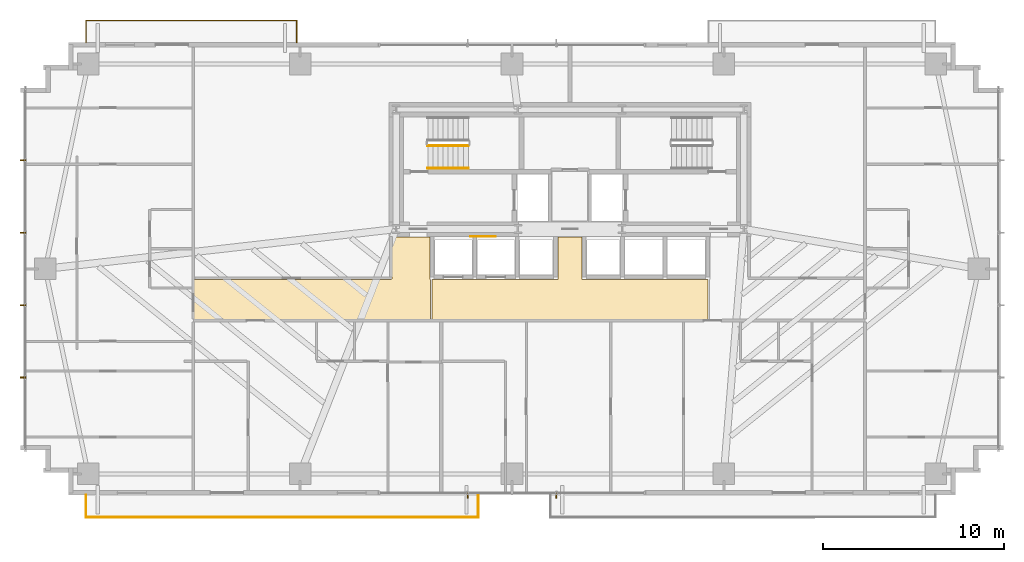
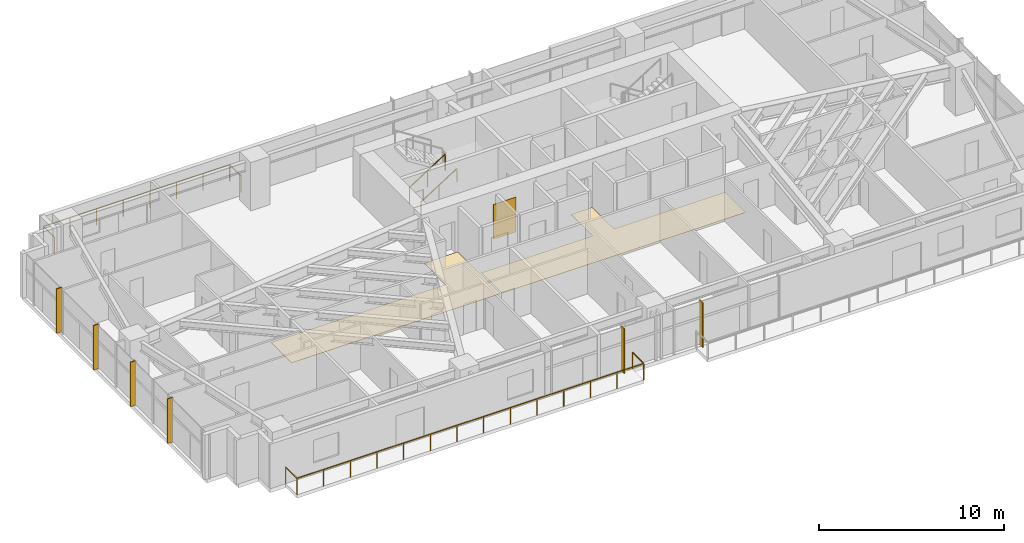
# One storey, part 23 of 25: 6 shading devices, 4 railings, 3 coverings.
"""IFC4 building model written with IfcOpenShell, lengths in metres."""

from ifc_helpers import new_model, si_unit, direction, frame, origin, origin_2d, place, context, subcontext, project, spatial, polyline, rectangle, outline, extrude, source, transform, mapped, material, layer, layer_set, type_object, type_shapes, element, save


model = new_model("IFC4")

# Units and contexts
model_context = context("Model", 3, precision=1e-05, world=origin(), true_north=direction((0.0, 1.0)))
body_context = subcontext(model_context, "Body", "Model", "MODEL_VIEW")
ifc_project = project(units=[si_unit("LENGTHUNIT", "METRE"), si_unit("AREAUNIT", "SQUARE_METRE"), si_unit("VOLUMEUNIT", "CUBIC_METRE"), si_unit("PLANEANGLEUNIT", "RADIAN"), si_unit("MASSUNIT", "GRAM", prefix="KILO")], contexts=[model_context])

# Site, building, storey
site_placement = place(None, origin())
site = spatial("IfcSite", under=ifc_project, at=site_placement, CompositionType="ELEMENT")
building_placement = place(site_placement, origin())
building = spatial("IfcBuilding", under=site, at=building_placement, Name="Astriad Promenade Condominiums", CompositionType="ELEMENT")
storey_placement = place(building_placement, frame((0.0, 0.0, 26.199951171875)))
storey = spatial("IfcBuildingStorey", under=building, at=storey_placement, Name="L06", CompositionType="ELEMENT", Elevation=26.199951171875)

# Coverings
ifc_material_1 = material(Name="Polished Lakefront Terrazzo Flooring")
ifc_layer_1 = layer(ifc_material_1, 0.02001953125)
ifc_layer_set_1 = layer_set([ifc_layer_1], Name="Polished Lakefront Terrazzo Flooring")
covering_type_1 = type_object("IfcCoveringType", Name="COV-FLOR-TERRAZZO-20", PredefinedType="FLOORING", material=ifc_layer_set_1)
covering_1_placement = place(storey_placement, origin())
element("IfcCovering", 1, at=covering_1_placement, inside=storey, type_object=covering_type_1, Name="FLR-L06-LLB", PredefinedType="FLOORING", context=body_context, shape_type="SweptSolid", body=[
    extrude(outline(polyline([(43.610107421875, 14.610107421875), (43.610107421875, 12.389892578125), (28.389892578125, 12.389892578125), (28.389892578125, 14.610107421875), (35.300048828125, 14.610107421875), (35.303955078125, 14.610107421875), (35.307861328125, 14.61083984375), (35.3115234375, 14.61181640625), (35.315185546875, 14.613037109375), (35.31884765625, 14.61474609375), (35.322265625, 14.61669921875), (35.325439453125, 14.619140625), (35.328369140625, 14.62158203125), (35.330810546875, 14.62451171875), (35.333251953125, 14.627685546875), (35.335205078125, 14.631103515625), (35.3369140625, 14.634765625), (35.33837890625, 14.638427734375), (35.339111328125, 14.64208984375), (35.33984375, 14.64599609375), (35.340087890625, 14.64990234375), (35.340087890625, 16.9599609375), (36.659912109375, 16.9599609375), (36.659912109375, 14.64990234375), (36.66015625, 14.64599609375), (36.660888671875, 14.64208984375), (36.66162109375, 14.638427734375), (36.6630859375, 14.634765625), (36.664794921875, 14.631103515625), (36.666748046875, 14.627685546875), (36.669189453125, 14.62451171875), (36.671630859375, 14.62158203125), (36.674560546875, 14.619140625), (36.677734375, 14.61669921875), (36.68115234375, 14.61474609375), (36.684814453125, 14.613037109375), (36.6884765625, 14.61181640625), (36.692138671875, 14.61083984375), (36.696044921875, 14.610107421875), (36.699951171875, 14.610107421875), (43.610107421875, 14.610107421875)])), origin(), (0.0, 0.0, 1.0), 0.02001953125),
])
covering_2_placement = place(storey_placement, origin())
element("IfcCovering", 2, at=covering_2_placement, inside=storey, type_object=covering_type_1, Name="FLR-L06-COR-2", PredefinedType="FLOORING", context=body_context, shape_type="SweptSolid", body=[
    extrude(outline(polyline([(28.300048828125, 12.389892578125), (15.239990234375, 12.389892578125), (15.239990234375, 14.6201171875), (26.1201171875, 14.6201171875), (26.123779296875, 14.6201171875), (26.127685546875, 14.620849609375), (26.131591796875, 14.62158203125), (26.13525390625, 14.623046875), (26.138916015625, 14.624755859375), (26.14208984375, 14.626708984375), (26.1455078125, 14.629150390625), (26.148193359375, 14.631591796875), (26.15087890625, 14.634521484375), (26.1533203125, 14.6376953125), (26.1552734375, 14.64111328125), (26.156982421875, 14.644775390625), (26.158203125, 14.6484375), (26.1591796875, 14.652099609375), (26.159912109375, 14.656005859375), (26.159912109375, 14.659912109375), (26.159912109375, 16.9599609375), (28.260009765625, 16.9599609375), (28.260009765625, 14.64990234375), (28.26025390625, 14.64599609375), (28.2607421875, 14.64208984375), (28.26171875, 14.638427734375), (28.262939453125, 14.634765625), (28.2646484375, 14.631103515625), (28.2666015625, 14.627685546875), (28.26904296875, 14.62451171875), (28.271728515625, 14.62158203125), (28.274658203125, 14.619140625), (28.27783203125, 14.61669921875), (28.281005859375, 14.61474609375), (28.28466796875, 14.613037109375), (28.288330078125, 14.61181640625), (28.292236328125, 14.61083984375), (28.296142578125, 14.610107421875), (28.300048828125, 14.610107421875), (28.300048828125, 12.389892578125)])), origin(), (0.0, 0.0, 1.0), 0.02001953125),
])

# Shading devices
ifc_material_2 = material(Name="Anodised aluminium 6063-T6 Black Fin", Category="aluminium")
shading_device_type = type_object("IfcShadingDeviceType", Name="FIN-BLACK-320", PredefinedType="USERDEFINED", material=ifc_material_2)
shared_shape_1 = source(origin(), body_context, "Body", "SweptSolid", [
    extrude(rectangle(XDim=0.06494140625, YDim=0.320068359375, at=origin_2d()), origin(), (0.0, 0.0, 1.0), 2.93994140625),
])
type_shapes(shading_device_type, [shared_shape_1])
for number, where, z_axis, x_axis, name in (
    (3, (5.7900390625, 9.199951171875, 0.0), (0.0, 0.0, 1.0), (0.0, 1.0, 0.0), "CW-L06-W-FIN-01"),
    (4, (5.7900390625, 13.199951171875, 0.0), (0.0, 0.0, 1.0), (0.0, 1.0, 0.0), "CW-L06-W-FIN-02"),
    (5, (5.7900390625, 17.199951171875, 0.0), (0.0, 0.0, 1.0), (0.0, 1.0, 0.0), "CW-L06-W-FIN-03"),
    (6, (5.7900390625, 21.199951171875, 0.0), (0.0, 0.0, 1.0), (0.0, 1.0, 0.0), "CW-L06-W-FIN-04"),
    (7, (35.25, 2.68994140625, 0.0), (0.0, 0.0, 1.0), (-1.0, 0.0, 0.0), "CW-L06-S-FIN-01"),
    (8, (30.35009765625, 2.68994140625, 0.0), (0.0, 0.0, 1.0), (-1.0, 0.0, 0.0), "CW-L06-S-FIN-02"),
):
    element("IfcShadingDevice", number, at=place(storey_placement, frame(where, z_axis=z_axis, x_axis=x_axis)), inside=storey, type_object=shading_device_type, Name=name, ObjectType="FIN", PredefinedType="USERDEFINED", context=body_context, shape_type="MappedRepresentation", body=[
        mapped(shared_shape_1, transform((0.0, 0.0, 0.0), scale=1.0)),
    ])

# Railings
ifc_material_3 = material(Name="Laminated Glass and Stainless Steel Balustrade", Category="steel")
railing_type_1 = type_object("IfcRailingType", Name="GRD-BALC-1120", PredefinedType="BALUSTRADE", material=ifc_material_3)
shared_shape_2 = source(origin(), body_context, "Body", "SweptSolid", [
    extrude(rectangle(XDim=0.048095703125, YDim=0.048095703125, at=origin_2d()), frame((0.0, 0.0, 1.09619140625), z_axis=(0.0, -1.0, 0.0), x_axis=(1.0, 0.0, 0.0)), (0.0, 0.0, 1.0), 1.219970703125),
    extrude(rectangle(XDim=0.048095703125, YDim=0.048095703125, at=origin_2d()), frame((0.0, -1.219970703125, 1.09619140625), z_axis=(1.0, 0.0, 0.0), x_axis=(0.0, 1.0, 0.0)), (0.0, 0.0, 1.0), 21.6669921875),
    extrude(rectangle(XDim=0.048095703125, YDim=0.048095703125, at=origin_2d()), frame((21.6669921875, -1.219970703125, 1.09619140625), z_axis=(0.0, 1.0, 0.0), x_axis=(-1.0, 0.0, 0.0)), (0.0, 0.0, 1.0), 1.219970703125),
    extrude(rectangle(XDim=0.0419921875, YDim=0.0419921875, at=origin_2d()), origin(), (0.0, 0.0, 1.0), 1.072021484375),
    extrude(rectangle(XDim=0.0419921875, YDim=0.0419921875, at=origin_2d()), frame((0.0, -1.219970703125, 0.0)), (0.0, 0.0, 1.0), 1.072021484375),
    extrude(rectangle(XDim=0.0419921875, YDim=0.0419921875, at=origin_2d()), frame((1.666748046875, -1.219970703125, 0.0)), (0.0, 0.0, 1.0), 1.072021484375),
    extrude(rectangle(XDim=0.0419921875, YDim=0.0419921875, at=origin_2d()), frame((3.33349609375, -1.219970703125, 0.0)), (0.0, 0.0, 1.0), 1.072021484375),
    extrude(rectangle(XDim=0.0419921875, YDim=0.0419921875, at=origin_2d()), frame((5.0, -1.219970703125, 0.0)), (0.0, 0.0, 1.0), 1.072021484375),
    extrude(rectangle(XDim=0.0419921875, YDim=0.0419921875, at=origin_2d()), frame((6.666748046875, -1.219970703125, 0.0)), (0.0, 0.0, 1.0), 1.072021484375),
    extrude(rectangle(XDim=0.0419921875, YDim=0.0419921875, at=origin_2d()), frame((8.33349609375, -1.219970703125, 0.0)), (0.0, 0.0, 1.0), 1.072021484375),
    extrude(rectangle(XDim=0.0419921875, YDim=0.0419921875, at=origin_2d()), frame((10.000244140625, -1.219970703125, 0.0)), (0.0, 0.0, 1.0), 1.072021484375),
    extrude(rectangle(XDim=0.0419921875, YDim=0.0419921875, at=origin_2d()), frame((11.666748046875, -1.219970703125, 0.0)), (0.0, 0.0, 1.0), 1.072021484375),
    extrude(rectangle(XDim=0.0419921875, YDim=0.0419921875, at=origin_2d()), frame((13.33349609375, -1.219970703125, 0.0)), (0.0, 0.0, 1.0), 1.072021484375),
    extrude(rectangle(XDim=0.0419921875, YDim=0.0419921875, at=origin_2d()), frame((15.000244140625, -1.219970703125, 0.0)), (0.0, 0.0, 1.0), 1.072021484375),
    extrude(rectangle(XDim=0.0419921875, YDim=0.0419921875, at=origin_2d()), frame((16.6669921875, -1.219970703125, 0.0)), (0.0, 0.0, 1.0), 1.072021484375),
    extrude(rectangle(XDim=0.0419921875, YDim=0.0419921875, at=origin_2d()), frame((18.33349609375, -1.219970703125, 0.0)), (0.0, 0.0, 1.0), 1.072021484375),
    extrude(rectangle(XDim=0.0419921875, YDim=0.0419921875, at=origin_2d()), frame((20.000244140625, -1.219970703125, 0.0)), (0.0, 0.0, 1.0), 1.072021484375),
    extrude(rectangle(XDim=0.0419921875, YDim=0.0419921875, at=origin_2d()), frame((21.6669921875, -1.219970703125, 0.0)), (0.0, 0.0, 1.0), 1.072021484375),
    extrude(rectangle(XDim=0.0419921875, YDim=0.0419921875, at=origin_2d()), frame((21.6669921875, 0.0, 0.0)), (0.0, 0.0, 1.0), 1.072021484375),
])
railing_1_placement = place(storey_placement, frame((9.277099609375, 2.699951171875, 0.0)))
element("IfcRailing", 9, at=railing_1_placement, inside=storey, type_object=railing_type_1, Name="GRD-BALC-L06-SW", PredefinedType="BALUSTRADE", context=body_context, shape_type="MappedRepresentation", body=[
    mapped(shared_shape_2, transform((0.0, 0.0, 0.0), scale=1.0)),
])
shared_shape_3 = source(origin(), body_context, "Body", "SweptSolid", [
    extrude(rectangle(XDim=0.048095703125, YDim=0.048095703125, at=origin_2d()), frame((0.0, 0.0, 1.09619140625), z_axis=(0.0, 1.0, 0.0), x_axis=(-1.0, 0.0, 0.0)), (0.0, 0.0, 1.0), 1.219970703125),
    extrude(rectangle(XDim=0.048095703125, YDim=0.048095703125, at=origin_2d()), frame((0.0, 1.219970703125, 1.09619140625), z_axis=(-1.0, 0.0, 0.0), x_axis=(0.0, -1.0, 0.0)), (0.0, 0.0, 1.0), 11.642822265625),
    extrude(rectangle(XDim=0.048095703125, YDim=0.048095703125, at=origin_2d()), frame((-11.642822265625, 1.219970703125, 1.09619140625), z_axis=(0.0, -1.0, 0.0), x_axis=(1.0, 0.0, 0.0)), (0.0, 0.0, 1.0), 1.219970703125),
    extrude(rectangle(XDim=0.0419921875, YDim=0.0419921875, at=origin_2d()), origin(), (0.0, 0.0, 1.0), 1.072021484375),
    extrude(rectangle(XDim=0.0419921875, YDim=0.0419921875, at=origin_2d()), frame((0.0, 1.219970703125, 0.0)), (0.0, 0.0, 1.0), 1.072021484375),
    extrude(rectangle(XDim=0.0419921875, YDim=0.0419921875, at=origin_2d()), frame((-1.663330078125, 1.219970703125, 0.0)), (0.0, 0.0, 1.0), 1.072021484375),
    extrude(rectangle(XDim=0.0419921875, YDim=0.0419921875, at=origin_2d()), frame((-3.326416015625, 1.219970703125, 0.0)), (0.0, 0.0, 1.0), 1.072021484375),
    extrude(rectangle(XDim=0.0419921875, YDim=0.0419921875, at=origin_2d()), frame((-4.98974609375, 1.219970703125, 0.0)), (0.0, 0.0, 1.0), 1.072021484375),
    extrude(rectangle(XDim=0.0419921875, YDim=0.0419921875, at=origin_2d()), frame((-6.653076171875, 1.219970703125, 0.0)), (0.0, 0.0, 1.0), 1.072021484375),
    extrude(rectangle(XDim=0.0419921875, YDim=0.0419921875, at=origin_2d()), frame((-8.31640625, 1.219970703125, 0.0)), (0.0, 0.0, 1.0), 1.072021484375),
    extrude(rectangle(XDim=0.0419921875, YDim=0.0419921875, at=origin_2d()), frame((-9.9794921875, 1.219970703125, 0.0)), (0.0, 0.0, 1.0), 1.072021484375),
    extrude(rectangle(XDim=0.0419921875, YDim=0.0419921875, at=origin_2d()), frame((-11.642822265625, 1.219970703125, 0.0)), (0.0, 0.0, 1.0), 1.072021484375),
    extrude(rectangle(XDim=0.0419921875, YDim=0.0419921875, at=origin_2d()), frame((-11.642822265625, 0.0, 0.0)), (0.0, 0.0, 1.0), 1.072021484375),
])
type_shapes(railing_type_1, [shared_shape_2, shared_shape_3])
railing_2_placement = place(storey_placement, frame((20.919921875, 27.699951171875, 0.0)))
element("IfcRailing", 10, at=railing_2_placement, inside=storey, type_object=railing_type_1, Name="GRD-BALC-L06-NW", PredefinedType="BALUSTRADE", context=body_context, shape_type="MappedRepresentation", body=[
    mapped(shared_shape_3, transform((0.0, 0.0, 0.0), scale=1.0)),
])
ifc_material_4 = material(Name="Painted Galvanised Steel Guardrail", Category="steel")
railing_type_2 = type_object("IfcRailingType", Name="GRD-STAIR-1100", PredefinedType="GUARDRAIL", material=ifc_material_4)
shared_shape_4 = source(origin(), body_context, "Body", "SweptSolid", [
    extrude(rectangle(XDim=0.048095703125, YDim=0.048095703125, at=origin_2d()), frame((0.0, 0.0, 1.076171875), z_axis=(0.84418770128, 0.0, 0.536047689118), x_axis=(0.0, 1.0, 0.0)), (0.0, 0.0, 1.0), 2.6533203125),
    extrude(rectangle(XDim=0.0419921875, YDim=0.0419921875, at=origin_2d()), origin(), (0.0, 0.0, 1.0), 1.052001953125),
    extrude(rectangle(XDim=0.0419921875, YDim=0.0419921875, at=origin_2d()), frame((1.1201171875, 0.0, 0.711181640625)), (0.0, 0.0, 1.0), 1.052001953125),
    extrude(rectangle(XDim=0.0419921875, YDim=0.0419921875, at=origin_2d()), frame((2.239990234375, 0.0, 1.42236328125)), (0.0, 0.0, 1.0), 1.052001953125),
])
type_shapes(railing_type_2, [shared_shape_4])
railing_3_placement = place(storey_placement, frame((28.14990234375, 22.0, 0.177734375)))
element("IfcRailing", 11, at=railing_3_placement, inside=storey, type_object=railing_type_2, Name="L06 ST-1 stair guard 1", PredefinedType="GUARDRAIL", context=body_context, shape_type="MappedRepresentation", body=[
    mapped(shared_shape_4, transform((0.0, 0.0, 0.0), scale=1.0)),
])
ifc_material_5 = material(Name="Brushed Stainless Steel Handrail", Category="steel")
railing_type_3 = type_object("IfcRailingType", Name="HRL-STAIR-920", PredefinedType="HANDRAIL", material=ifc_material_5)
shared_shape_5 = source(origin(), body_context, "Body", "SweptSolid", [
    extrude(rectangle(XDim=0.048095703125, YDim=0.048095703125, at=origin_2d()), frame((0.0, 0.0, 0.8759765625), z_axis=(0.84418770128, 0.0, 0.536047689118), x_axis=(0.0, 1.0, 0.0)), (0.0, 0.0, 1.0), 2.6533203125),
    extrude(rectangle(XDim=0.0419921875, YDim=0.0419921875, at=origin_2d()), origin(), (0.0, 0.0, 1.0), 0.851806640625),
    extrude(rectangle(XDim=0.0419921875, YDim=0.0419921875, at=origin_2d()), frame((1.1201171875, 0.0, 0.711181640625)), (0.0, 0.0, 1.0), 0.851806640625),
    extrude(rectangle(XDim=0.0419921875, YDim=0.0419921875, at=origin_2d()), frame((2.239990234375, 0.0, 1.42236328125)), (0.0, 0.0, 1.0), 0.851806640625),
])
type_shapes(railing_type_3, [shared_shape_5])
railing_4_placement = place(storey_placement, frame((28.14990234375, 20.75, 0.177734375)))
element("IfcRailing", 12, at=railing_4_placement, inside=storey, type_object=railing_type_3, Name="L06 ST-1 stair handrail 1", PredefinedType="HANDRAIL", context=body_context, shape_type="MappedRepresentation", body=[
    mapped(shared_shape_5, transform((0.0, 0.0, 0.0), scale=1.0)),
])

# Covering
ifc_material_6 = material(Name="Fire-Retardant Acoustic Oak Wall Cladding")
ifc_layer_2 = layer(ifc_material_6, 0.02490234375)
ifc_layer_set_2 = layer_set([ifc_layer_2], Name="Fire-Retardant Acoustic Oak Wall Cladding")
covering_type_2 = type_object("IfcCoveringType", Name="COV-CLAD-TIMBER-25", PredefinedType="CLADDING", material=ifc_layer_set_2)
shared_shape_6 = source(origin(), body_context, "Body", "SweptSolid", [
    extrude(rectangle(XDim=1.39990234375, YDim=0.02490234375, at=origin_2d()), origin(), (0.0, 0.0, 1.0), 2.300048828125),
])
type_shapes(covering_type_2, [shared_shape_6])
covering_3_placement = place(storey_placement, frame((31.199951171875, 16.991455078125, 0.0498046875), z_axis=(0.0, 0.0, 1.0), x_axis=(1.0, 0.0, 0.0)))
element("IfcCovering", 13, at=covering_3_placement, inside=storey, type_object=covering_type_2, Name="CLAD-LOB-L06", PredefinedType="CLADDING", context=body_context, shape_type="MappedRepresentation", body=[
    mapped(shared_shape_6, transform((0.0, 0.0, 0.0), scale=1.0)),
])

save(model, "model.ifc")
